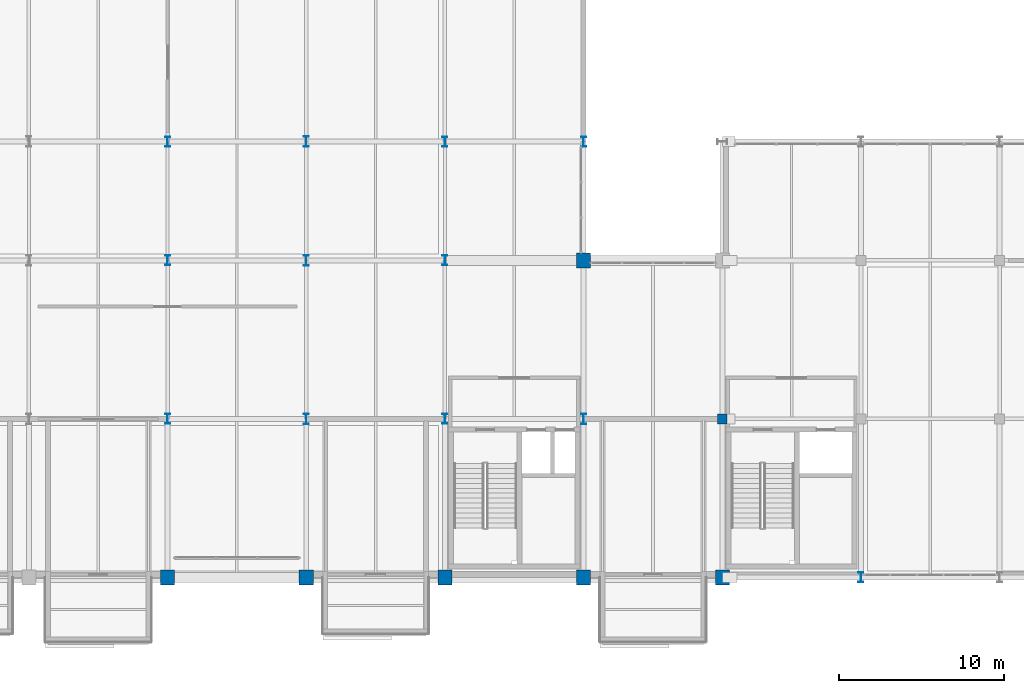
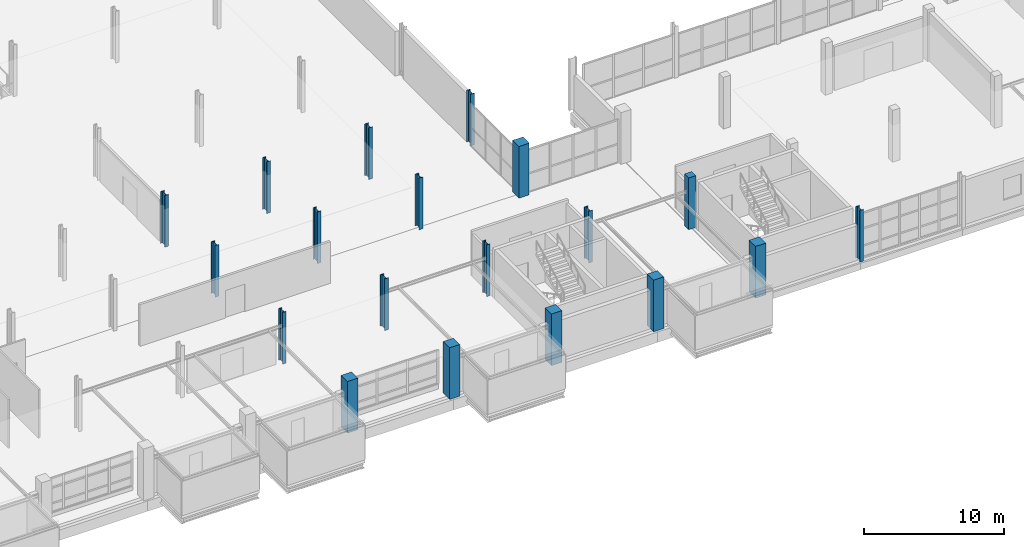
# One storey, part 4 of 130: 19 columns.
"""IFC4 building model written with IfcOpenShell, lengths in metres."""

from ifc_helpers import new_model, si_unit, direction, frame, origin, origin_2d, place, context, subcontext, project, spatial, rectangle, i_section, extrude, material, material_profile, profile_set, type_object, element, save


model = new_model("IFC4")

# Units and contexts
model_context = context("Model", 3, precision=1e-05, world=origin(), true_north=direction((0.0, 1.0)))
body_context = subcontext(model_context, "Body", "Model", "MODEL_VIEW")
ifc_project = project(units=[si_unit("LENGTHUNIT", "METRE"), si_unit("AREAUNIT", "SQUARE_METRE"), si_unit("VOLUMEUNIT", "CUBIC_METRE"), si_unit("PLANEANGLEUNIT", "RADIAN"), si_unit("MASSUNIT", "GRAM", prefix="KILO")], contexts=[model_context])

# Site, building, storey
site_placement = place(None, origin())
site = spatial("IfcSite", under=ifc_project, at=site_placement, CompositionType="ELEMENT")
building_placement = place(site_placement, origin())
building = spatial("IfcBuilding", under=site, at=building_placement, Name="Veltarok Museum of Natural Sciences", CompositionType="ELEMENT")
storey_placement = place(building_placement, frame((0.0, 0.0, 12.89990234375)))
storey = spatial("IfcBuildingStorey", under=building, at=storey_placement, Name="L02", CompositionType="ELEMENT", Elevation=12.89990234375)

# Columns
ifc_material_1 = material(Name="Concrete C40/50", Category="concrete")
ifc_material_profile_1 = material_profile(ifc_material_1, rectangle(XDim=0.60009765625, YDim=0.60009765625, at=origin_2d()), Name="RC 600x600")
ifc_profile_set_1 = profile_set([ifc_material_profile_1], Name="Concrete C40/50")
column_type_1 = type_object("IfcColumnType", Name="Conservation Wing Column RC 600x600", PredefinedType="COLUMN", material=ifc_profile_set_1)
column_placement = place(storey_placement, frame((107.199951171875, 9.60009765625, 0.0), z_axis=(0.0, 0.0, 1.0), x_axis=(0.0, 1.0, 0.0)))
element("IfcColumn", 1, at=column_placement, inside=storey, type_object=column_type_1, Name="Column COL-RC02 L02 13/B", PredefinedType="COLUMN", context=body_context, shape_type="SweptSolid", body=[
    extrude(rectangle(XDim=0.60009765625, YDim=0.60009765625, at=origin_2d()), origin(), (0.0, 0.0, 1.0), 4.5),
])
ifc_material_profile_2 = material_profile(ifc_material_1, rectangle(XDim=0.85009765625, YDim=0.89990234375, at=origin_2d()), Name="RC 850x900")
ifc_profile_set_2 = profile_set([ifc_material_profile_2], Name="Concrete C40/50")
column_type_2 = type_object("IfcColumnType", Name="Exposed Cabinet Grid Column RC 850x900", PredefinedType="COLUMN", material=ifc_profile_set_2)
for number, where, z_axis, x_axis, name in (
    (2, (73.60009765625, 0.0, 0.0), (0.0, 0.0, 1.0), (1.0, 0.0, 0.0), "Column COL-CAB01 L02 9/A"),
    (3, (82.0, 0.0, 0.0), (0.0, 0.0, 1.0), (1.0, 0.0, 0.0), "Column COL-CAB01 L02 10/A"),
    (4, (90.39990234375, 0.0, 0.0), (0.0, 0.0, 1.0), (1.0, 0.0, 0.0), "Column COL-CAB01 L02 11/A"),
    (5, (98.800048828125, 0.0, 0.0), (0.0, 0.0, 1.0), (1.0, 0.0, 0.0), "Column COL-CAB01 L02 12/A"),
    (6, (98.800048828125, 19.199951171875, 0.0), (0.0, 0.0, 1.0), (1.0, 0.0, 0.0), "Column COL-CAB01 L02 12/C"),
    (7, (107.199951171875, 0.0, 0.0), (0.0, 0.0, 1.0), (1.0, 0.0, 0.0), "Column COL-CAB01 L02 13/A"),
):
    element("IfcColumn", number, at=place(storey_placement, frame(where, z_axis=z_axis, x_axis=x_axis)), inside=storey, type_object=column_type_2, Name=name, PredefinedType="COLUMN", context=body_context, shape_type="SweptSolid", body=[
        extrude(rectangle(XDim=0.85009765625, YDim=0.89990234375, at=origin_2d()), origin(), (0.0, 0.0, 1.0), 4.5),
    ])
ifc_material_2 = material(Name="Steel S355J2", Category="steel")
ifc_material_profile_3 = material_profile(ifc_material_2, i_section(OverallWidth=0.300048828125, OverallDepth=0.60009765625, WebThickness=0.015380859375, FlangeThickness=0.030029296875, FilletRadius=0.027099609375, at=origin_2d()), Name="HEB 600")
ifc_profile_set_3 = profile_set([ifc_material_profile_3], Name="Steel S355J2")
column_type_3 = type_object("IfcColumnType", Name="Gallery Frame Column HEB 600", PredefinedType="COLUMN", material=ifc_profile_set_3)
for number, where, z_axis, x_axis, name in (
    (8, (73.60009765625, 9.60009765625, 0.0), (0.0, 0.0, 1.0), (1.0, 0.0, 0.0), "Column COL-S04 L02 9/B"),
    (9, (73.60009765625, 19.199951171875, 0.0), (0.0, 0.0, 1.0), (1.0, 0.0, 0.0), "Column COL-S04 L02 9/C"),
    (10, (73.60009765625, 26.39990234375, 0.0), (0.0, 0.0, 1.0), (1.0, 0.0, 0.0), "Column COL-S04 L02 9/D"),
    (11, (90.39990234375, 9.60009765625, 0.0), (0.0, 0.0, 1.0), (1.0, 0.0, 0.0), "Column COL-S04 L02 11/B"),
    (12, (90.39990234375, 19.199951171875, 0.0), (0.0, 0.0, 1.0), (1.0, 0.0, 0.0), "Column COL-S04 L02 11/C"),
    (13, (90.39990234375, 26.39990234375, 0.0), (0.0, 0.0, 1.0), (1.0, 0.0, 0.0), "Column COL-S04 L02 11/D"),
):
    element("IfcColumn", number, at=place(storey_placement, frame(where, z_axis=z_axis, x_axis=x_axis)), inside=storey, type_object=column_type_3, Name=name, PredefinedType="COLUMN", context=body_context, shape_type="SweptSolid", body=[
        extrude(i_section(OverallWidth=0.300048828125, OverallDepth=0.60009765625, WebThickness=0.015380859375, FlangeThickness=0.030029296875, FilletRadius=0.027099609375, at=origin_2d()), origin(), (0.0, 0.0, 1.0), 4.5),
    ])
ifc_material_profile_4 = material_profile(ifc_material_2, i_section(OverallWidth=0.300048828125, OverallDepth=0.64990234375, WebThickness=0.01611328125, FlangeThickness=0.031005859375, FilletRadius=0.027099609375, at=origin_2d()), Name="HEB 650")
ifc_profile_set_4 = profile_set([ifc_material_profile_4], Name="Steel S355J2")
column_type_4 = type_object("IfcColumnType", Name="Heavy Spine Column HEB 650", PredefinedType="COLUMN", material=ifc_profile_set_4)
for number, where, z_axis, x_axis, name in (
    (14, (82.0, 9.60009765625, 0.0), (0.0, 0.0, 1.0), (1.0, 0.0, 0.0), "Column COL-S09 L02 10/B"),
    (15, (82.0, 19.199951171875, 0.0), (0.0, 0.0, 1.0), (1.0, 0.0, 0.0), "Column COL-S09 L02 10/C"),
    (16, (82.0, 26.39990234375, 0.0), (0.0, 0.0, 1.0), (1.0, 0.0, 0.0), "Column COL-S09 L02 10/D"),
    (17, (98.800048828125, 9.60009765625, 0.0), (0.0, 0.0, 1.0), (1.0, 0.0, 0.0), "Column COL-S09 L02 12/B"),
):
    element("IfcColumn", number, at=place(storey_placement, frame(where, z_axis=z_axis, x_axis=x_axis)), inside=storey, type_object=column_type_4, Name=name, PredefinedType="COLUMN", context=body_context, shape_type="SweptSolid", body=[
        extrude(i_section(OverallWidth=0.300048828125, OverallDepth=0.64990234375, WebThickness=0.01611328125, FlangeThickness=0.031005859375, FilletRadius=0.027099609375, at=origin_2d()), origin(), (0.0, 0.0, 1.0), 4.5),
    ])
ifc_material_profile_5 = material_profile(ifc_material_2, i_section(OverallWidth=0.300048828125, OverallDepth=0.60009765625, WebThickness=0.015380859375, FlangeThickness=0.030029296875, FilletRadius=0.027099609375, at=origin_2d()), Name="HEB 600")
ifc_profile_set_5 = profile_set([ifc_material_profile_5], Name="Steel S355J2")
column_type_5 = type_object("IfcColumnType", Name="Perimeter Passage Column HEB 600", PredefinedType="COLUMN", material=ifc_profile_set_5)
for number, where, z_axis, x_axis, name in (
    (18, (98.800048828125, 26.39990234375, 0.0), (0.0, 0.0, 1.0), (1.0, 0.0, 0.0), "Column COL-EXT02 L02 12/D"),
    (19, (115.60009765625, 0.0, 0.0), (0.0, 0.0, 1.0), (1.0, 0.0, 0.0), "Column COL-EXT02 L02 14/A"),
):
    element("IfcColumn", number, at=place(storey_placement, frame(where, z_axis=z_axis, x_axis=x_axis)), inside=storey, type_object=column_type_5, Name=name, PredefinedType="COLUMN", context=body_context, shape_type="SweptSolid", body=[
        extrude(i_section(OverallWidth=0.300048828125, OverallDepth=0.60009765625, WebThickness=0.015380859375, FlangeThickness=0.030029296875, FilletRadius=0.027099609375, at=origin_2d()), origin(), (0.0, 0.0, 1.0), 4.5),
    ])

save(model, "model.ifc")
